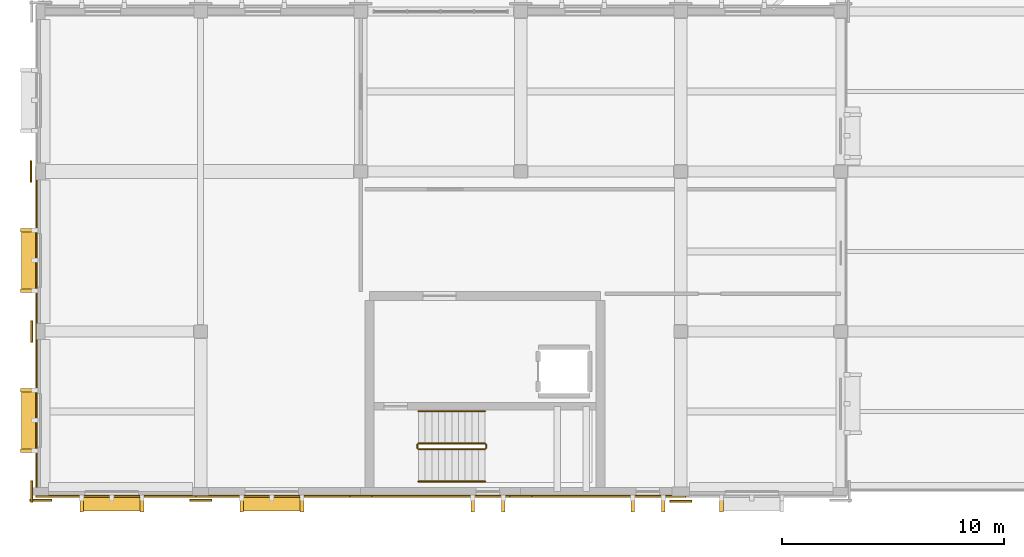
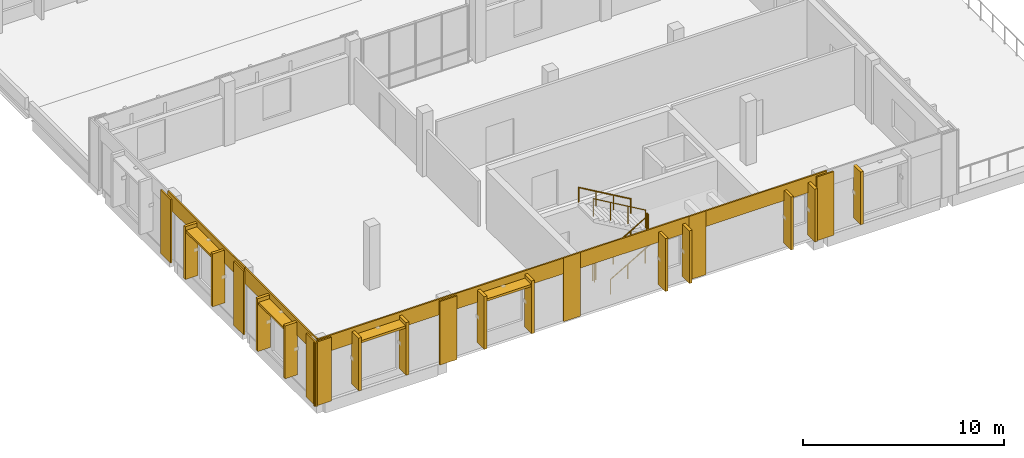
# One storey, part 53 of 64: 17 shading devices, 14 coverings, 6 railings.
"""IFC4 building model written with IfcOpenShell, lengths in metres."""

from ifc_helpers import new_model, si_unit, direction, frame, origin, origin_2d, place, context, subcontext, project, spatial, rectangle, circle, extrude, material, layer, layer_set, type_object, element, save


model = new_model("IFC4")

# Units and contexts
model_context = context("Model", 3, precision=1e-05, world=origin(), true_north=direction((0.0, 1.0)))
body_context = subcontext(model_context, "Body", "Model", "MODEL_VIEW")
ifc_project = project(units=[si_unit("LENGTHUNIT", "METRE"), si_unit("AREAUNIT", "SQUARE_METRE"), si_unit("VOLUMEUNIT", "CUBIC_METRE"), si_unit("PLANEANGLEUNIT", "RADIAN"), si_unit("MASSUNIT", "GRAM", prefix="KILO")], contexts=[model_context])

# Site, building, storey
site_placement = place(None, origin())
site = spatial("IfcSite", under=ifc_project, at=site_placement, CompositionType="ELEMENT")
building_placement = place(site_placement, origin())
building = spatial("IfcBuilding", under=site, at=building_placement, Name="Vervanel Yard Central Library", CompositionType="ELEMENT")
storey_placement = place(building_placement, frame((0.0, 0.0, 8.93994140625)))
storey = spatial("IfcBuildingStorey", under=building, at=storey_placement, Name="L02", CompositionType="ELEMENT", Elevation=8.93994140625)

# Railings
ifc_material_1 = material(Name="Brushed stainless steel AISI 316", Category="steel")
railing_type_1 = type_object("IfcRailingType", Name="Brushed Stainless Stair Handrail 900", PredefinedType="HANDRAIL", material=ifc_material_1)
railing_1_placement = place(storey_placement, frame((17.0, 0.449951171875, 0.174560546875)))
element("IfcRailing", 1, at=railing_1_placement, inside=storey, type_object=railing_type_1, Name="L02 ST-04 stair handrail 1", PredefinedType="HANDRAIL", context=body_context, shape_type="SweptSolid", body=[
    extrude(circle(Radius=0.02392578125, at=origin_2d()), frame((0.0, 0.0, 0.8759765625), z_axis=(0.864329436341, 0.0, 0.502926063626), x_axis=(0.0, 1.0, 0.0)), (0.0, 0.0, 1.0), 3.470947265625),
    extrude(circle(Radius=0.02099609375, at=origin_2d()), origin(), (0.0, 0.0, 1.0), 0.851806640625),
    extrude(circle(Radius=0.02099609375, at=origin_2d()), frame((1.0, 0.0, 0.581787109375)), (0.0, 0.0, 1.0), 0.851806640625),
    extrude(circle(Radius=0.02099609375, at=origin_2d()), frame((2.0, 0.0, 1.163818359375)), (0.0, 0.0, 1.0), 0.851806640625),
    extrude(circle(Radius=0.02099609375, at=origin_2d()), frame((3.0, 0.0, 1.74560546875)), (0.0, 0.0, 1.0), 0.851806640625),
])
railing_2_placement = place(storey_placement, frame((20.0, 3.610107421875, 2.094482421875)))
element("IfcRailing", 2, at=railing_2_placement, inside=storey, type_object=railing_type_1, Name="L02 ST-04 stair handrail 2", PredefinedType="HANDRAIL", context=body_context, shape_type="SweptSolid", body=[
    extrude(circle(Radius=0.02392578125, at=origin_2d()), frame((0.0, 0.0, 0.8759765625), z_axis=(-0.864329436341, 0.0, 0.502926063626), x_axis=(0.0, -1.0, 0.0)), (0.0, 0.0, 1.0), 3.470947265625),
    extrude(circle(Radius=0.02099609375, at=origin_2d()), origin(), (0.0, 0.0, 1.0), 0.851806640625),
    extrude(circle(Radius=0.02099609375, at=origin_2d()), frame((-1.0, 0.0, 0.581787109375)), (0.0, 0.0, 1.0), 0.851806640625),
    extrude(circle(Radius=0.02099609375, at=origin_2d()), frame((-2.0, 0.0, 1.163818359375)), (0.0, 0.0, 1.0), 0.851806640625),
    extrude(circle(Radius=0.02099609375, at=origin_2d()), frame((-3.0, 0.0, 1.74560546875)), (0.0, 0.0, 1.0), 0.851806640625),
])

# Coverings
ifc_material_2 = material(Name="Precast concrete C45/55", Category="concrete")
ifc_layer = layer(ifc_material_2, 0.0849609375, Category="concrete")
ifc_layer_set = layer_set([ifc_layer], Name="Precast concrete C45/55")
covering_type = type_object("IfcCoveringType", Name="Bush-Hammered Precast Architectural Cladding Panel", PredefinedType="CLADDING", material=ifc_layer_set)
covering_1_placement = place(storey_placement, frame((3.60009765625, -0.2099609375, 2.91015625), z_axis=(0.0, 0.0, 1.0), x_axis=(1.0, 0.0, 0.0)))
element("IfcCovering", 3, at=covering_1_placement, inside=storey, type_object=covering_type, Name="L02 Precast Concrete Spandrel Cornice EWALL-L02-0233", PredefinedType="CLADDING", context=body_context, shape_type="SweptSolid", body=[
    extrude(rectangle(XDim=7.64990234375, YDim=0.0849609375, at=origin_2d()), origin(), (0.0, 0.0, 1.0), 0.949951171875),
])
for number, where, z_axis, x_axis, name in (
    (4, (0.0, -0.392578125, 0.0), (0.0, 0.0, 1.0), (1.0, 0.0, 0.0), "L02 Precast Concrete Pier Pilaster EWALL-L02-0233-A"),
    (5, (7.199951171875, -0.402587890625, 0.0), (0.0, 0.0, 1.0), (1.0, 0.0, 0.0), "L02 Precast Concrete Pier Pilaster EWALL-L02-0233-B"),
):
    element("IfcCovering", number, at=place(storey_placement, frame(where, z_axis=z_axis, x_axis=x_axis)), inside=storey, type_object=covering_type, Name=name, PredefinedType="CLADDING", context=body_context, shape_type="SweptSolid", body=[
        extrude(rectangle(XDim=0.97998046875, YDim=0.0849609375, at=origin_2d()), origin(), (0.0, 0.0, 1.0), 3.860107421875),
    ])
covering_2_placement = place(storey_placement, frame((10.800048828125, -0.2099609375, 2.91015625), z_axis=(0.0, 0.0, 1.0), x_axis=(1.0, 0.0, 0.0)))
element("IfcCovering", 6, at=covering_2_placement, inside=storey, type_object=covering_type, Name="L02 Precast Concrete Spandrel Cornice EWALL-L02-0234", PredefinedType="CLADDING", context=body_context, shape_type="SweptSolid", body=[
    extrude(rectangle(XDim=7.64990234375, YDim=0.0849609375, at=origin_2d()), origin(), (0.0, 0.0, 1.0), 0.949951171875),
])
covering_3_placement = place(storey_placement, frame((14.39990234375, -0.21240234375, 0.0), z_axis=(0.0, 0.0, 1.0), x_axis=(1.0, 0.0, 0.0)))
element("IfcCovering", 7, at=covering_3_placement, inside=storey, type_object=covering_type, Name="L02 Precast Concrete Pier Pilaster EWALL-L02-0234-B", PredefinedType="CLADDING", context=body_context, shape_type="SweptSolid", body=[
    extrude(rectangle(XDim=0.97998046875, YDim=0.0849609375, at=origin_2d()), origin(), (0.0, 0.0, 1.0), 3.860107421875),
])
covering_4_placement = place(storey_placement, frame((18.0, -0.2099609375, 2.91015625), z_axis=(0.0, 0.0, 1.0), x_axis=(1.0, 0.0, 0.0)))
element("IfcCovering", 8, at=covering_4_placement, inside=storey, type_object=covering_type, Name="L02 Precast Concrete Spandrel Cornice EWALL-L02-0235", PredefinedType="CLADDING", context=body_context, shape_type="SweptSolid", body=[
    extrude(rectangle(XDim=7.64990234375, YDim=0.0849609375, at=origin_2d()), origin(), (0.0, 0.0, 1.0), 0.949951171875),
])
covering_5_placement = place(storey_placement, frame((21.60009765625, -0.21240234375, 0.0), z_axis=(0.0, 0.0, 1.0), x_axis=(1.0, 0.0, 0.0)))
element("IfcCovering", 9, at=covering_5_placement, inside=storey, type_object=covering_type, Name="L02 Precast Concrete Pier Pilaster EWALL-L02-0235-B", PredefinedType="CLADDING", context=body_context, shape_type="SweptSolid", body=[
    extrude(rectangle(XDim=0.97998046875, YDim=0.0849609375, at=origin_2d()), origin(), (0.0, 0.0, 1.0), 3.860107421875),
])
covering_6_placement = place(storey_placement, frame((25.199951171875, -0.2099609375, 2.91015625), z_axis=(0.0, 0.0, 1.0), x_axis=(1.0, 0.0, 0.0)))
element("IfcCovering", 10, at=covering_6_placement, inside=storey, type_object=covering_type, Name="L02 Precast Concrete Spandrel Cornice EWALL-L02-0236", PredefinedType="CLADDING", context=body_context, shape_type="SweptSolid", body=[
    extrude(rectangle(XDim=7.64990234375, YDim=0.0849609375, at=origin_2d()), origin(), (0.0, 0.0, 1.0), 0.949951171875),
])
covering_7_placement = place(storey_placement, frame((28.800048828125, -0.4326171875, 0.0), z_axis=(0.0, 0.0, 1.0), x_axis=(1.0, 0.0, 0.0)))
element("IfcCovering", 11, at=covering_7_placement, inside=storey, type_object=covering_type, Name="L02 Precast Concrete Pier Pilaster EWALL-L02-0236-B", PredefinedType="CLADDING", context=body_context, shape_type="SweptSolid", body=[
    extrude(rectangle(XDim=0.97998046875, YDim=0.0849609375, at=origin_2d()), origin(), (0.0, 0.0, 1.0), 3.860107421875),
])
covering_8_placement = place(storey_placement, frame((-0.18994140625, 3.60009765625, 2.91015625), z_axis=(0.0, 0.0, 1.0), x_axis=(0.0, 1.0, 0.0)))
element("IfcCovering", 12, at=covering_8_placement, inside=storey, type_object=covering_type, Name="L02 Precast Concrete Spandrel Cornice EWALL-L02-0238", PredefinedType="CLADDING", context=body_context, shape_type="SweptSolid", body=[
    extrude(rectangle(XDim=7.64990234375, YDim=0.0849609375, at=origin_2d()), origin(), (0.0, 0.0, 1.0), 0.949951171875),
])
for number, where, z_axis, x_axis, name in (
    (13, (-0.392578125, 0.0, 0.0), (0.0, 0.0, 1.0), (0.0, 1.0, 0.0), "L02 Precast Concrete Pier Pilaster EWALL-L02-0238-A"),
    (14, (-0.402587890625, 7.199951171875, 0.0), (0.0, 0.0, 1.0), (0.0, 1.0, 0.0), "L02 Precast Concrete Pier Pilaster EWALL-L02-0238-B"),
):
    element("IfcCovering", number, at=place(storey_placement, frame(where, z_axis=z_axis, x_axis=x_axis)), inside=storey, type_object=covering_type, Name=name, PredefinedType="CLADDING", context=body_context, shape_type="SweptSolid", body=[
        extrude(rectangle(XDim=0.97998046875, YDim=0.0849609375, at=origin_2d()), origin(), (0.0, 0.0, 1.0), 3.860107421875),
    ])
covering_9_placement = place(storey_placement, frame((-0.18994140625, 10.800048828125, 2.91015625), z_axis=(0.0, 0.0, 1.0), x_axis=(0.0, 1.0, 0.0)))
element("IfcCovering", 15, at=covering_9_placement, inside=storey, type_object=covering_type, Name="L02 Precast Concrete Spandrel Cornice EWALL-L02-0239", PredefinedType="CLADDING", context=body_context, shape_type="SweptSolid", body=[
    extrude(rectangle(XDim=7.64990234375, YDim=0.0849609375, at=origin_2d()), origin(), (0.0, 0.0, 1.0), 0.949951171875),
])
covering_10_placement = place(storey_placement, frame((-0.4326171875, 14.39990234375, 0.0), z_axis=(0.0, 0.0, 1.0), x_axis=(0.0, 1.0, 0.0)))
element("IfcCovering", 16, at=covering_10_placement, inside=storey, type_object=covering_type, Name="L02 Precast Concrete Pier Pilaster EWALL-L02-0239-B", PredefinedType="CLADDING", context=body_context, shape_type="SweptSolid", body=[
    extrude(rectangle(XDim=0.97998046875, YDim=0.0849609375, at=origin_2d()), origin(), (0.0, 0.0, 1.0), 3.860107421875),
])

# Shading devices
shading_device_type_1 = type_object("IfcShadingDeviceType", Name="Horizontal Precast Brise-Soleil Sunhood 2600x680x140", PredefinedType="JALOUSIE", material=ifc_material_2)
for number, where, z_axis, x_axis, name in (
    (17, (3.199951171875, -0.5400390625, 3.2802734375), (0.0, 0.0, 1.0), (1.0, 0.0, 0.0), "L02 Precast Horizontal Sunhood 134"),
    (18, (10.39990234375, -0.5400390625, 3.2802734375), (0.0, 0.0, 1.0), (1.0, 0.0, 0.0), "L02 Precast Horizontal Sunhood 135"),
    (19, (-0.52001953125, 3.199951171875, 3.330078125), (0.0, 0.0, 1.0), (0.0, 1.0, 0.0), "L02 Precast Horizontal Sunhood 137"),
    (20, (-0.52001953125, 10.39990234375, 3.330078125), (0.0, 0.0, 1.0), (0.0, 1.0, 0.0), "L02 Precast Horizontal Sunhood 138"),
):
    element("IfcShadingDevice", number, at=place(storey_placement, frame(where, z_axis=z_axis, x_axis=x_axis)), inside=storey, type_object=shading_device_type_1, Name=name, PredefinedType="JALOUSIE", context=body_context, shape_type="SweptSolid", body=[
        extrude(rectangle(XDim=2.60009765625, YDim=0.679931640625, at=origin_2d()), origin(), (0.0, 0.0, 1.0), 0.139892578125),
    ])

# Railings
ifc_material_3 = material(Name="Galvanized painted steelwork ASTM A500 Grade C", Category="steel")
railing_type_2 = type_object("IfcRailingType", Name="Painted Steel Guardrail 1100", PredefinedType="GUARDRAIL", material=ifc_material_3)
railing_3_placement = place(storey_placement, frame((17.0, 1.89990234375, 0.174560546875)))
element("IfcRailing", 21, at=railing_3_placement, inside=storey, type_object=railing_type_2, Name="L02 ST-04 stair guard 1", PredefinedType="GUARDRAIL", context=body_context, shape_type="SweptSolid", body=[
    extrude(circle(Radius=0.02392578125, at=origin_2d()), frame((0.0, 0.0, 1.076171875), z_axis=(0.864329436341, 0.0, 0.502926063626), x_axis=(0.0, 1.0, 0.0)), (0.0, 0.0, 1.0), 3.470947265625),
    extrude(circle(Radius=0.02099609375, at=origin_2d()), origin(), (0.0, 0.0, 1.0), 1.052001953125),
    extrude(circle(Radius=0.02099609375, at=origin_2d()), frame((1.0, 0.0, 0.581787109375)), (0.0, 0.0, 1.0), 1.052001953125),
    extrude(circle(Radius=0.02099609375, at=origin_2d()), frame((2.0, 0.0, 1.163818359375)), (0.0, 0.0, 1.0), 1.052001953125),
    extrude(circle(Radius=0.02099609375, at=origin_2d()), frame((3.0, 0.0, 1.74560546875)), (0.0, 0.0, 1.0), 1.052001953125),
])
railing_4_placement = place(storey_placement, frame((20.050048828125, 1.949951171875, 1.920166015625)))
element("IfcRailing", 22, at=railing_4_placement, inside=storey, type_object=railing_type_2, Name="L02 ST-04 stair guard 2", PredefinedType="GUARDRAIL", context=body_context, shape_type="SweptSolid", body=[
    extrude(circle(Radius=0.02392578125, at=origin_2d()), frame((0.0, 0.0, 1.076171875), z_axis=(0.0, 1.0, 0.0), x_axis=(-1.0, 0.0, 0.0)), (0.0, 0.0, 1.0), 0.16015625),
    extrude(circle(Radius=0.02099609375, at=origin_2d()), origin(), (0.0, 0.0, 1.0), 1.052001953125),
    extrude(circle(Radius=0.02099609375, at=origin_2d()), frame((0.0, 0.16015625, 0.0)), (0.0, 0.0, 1.0), 1.052001953125),
])
railing_5_placement = place(storey_placement, frame((20.0, 2.159912109375, 2.094482421875)))
element("IfcRailing", 23, at=railing_5_placement, inside=storey, type_object=railing_type_2, Name="L02 ST-04 stair guard 3", PredefinedType="GUARDRAIL", context=body_context, shape_type="SweptSolid", body=[
    extrude(circle(Radius=0.02392578125, at=origin_2d()), frame((0.0, 0.0, 1.076171875), z_axis=(-0.864329436341, 0.0, 0.502926063626), x_axis=(0.0, -1.0, 0.0)), (0.0, 0.0, 1.0), 3.470947265625),
    extrude(circle(Radius=0.02099609375, at=origin_2d()), origin(), (0.0, 0.0, 1.0), 1.052001953125),
    extrude(circle(Radius=0.02099609375, at=origin_2d()), frame((-1.0, 0.0, 0.581787109375)), (0.0, 0.0, 1.0), 1.052001953125),
    extrude(circle(Radius=0.02099609375, at=origin_2d()), frame((-2.0, 0.0, 1.163818359375)), (0.0, 0.0, 1.0), 1.052001953125),
    extrude(circle(Radius=0.02099609375, at=origin_2d()), frame((-3.0, 0.0, 1.74560546875)), (0.0, 0.0, 1.0), 1.052001953125),
])
railing_6_placement = place(storey_placement, frame((16.949951171875, 1.949951171875, 0.0)))
element("IfcRailing", 24, at=railing_6_placement, inside=storey, type_object=railing_type_2, Name="L02 ST-04 stair guard 4", PredefinedType="GUARDRAIL", context=body_context, shape_type="SweptSolid", body=[
    extrude(circle(Radius=0.02392578125, at=origin_2d()), frame((0.0, 0.0, 1.076171875), z_axis=(0.0, 1.0, 0.0), x_axis=(-1.0, 0.0, 0.0)), (0.0, 0.0, 1.0), 0.16015625),
    extrude(circle(Radius=0.02099609375, at=origin_2d()), origin(), (0.0, 0.0, 1.0), 1.052001953125),
    extrude(circle(Radius=0.02099609375, at=origin_2d()), frame((0.0, 0.16015625, 0.0)), (0.0, 0.0, 1.0), 1.052001953125),
])

# Shading devices
shading_device_type_2 = type_object("IfcShadingDeviceType", Name="Vertical Precast Solar Fin 160x720x3200", PredefinedType="JALOUSIE", material=ifc_material_2)
for number, where, z_axis, x_axis, name in (
    (25, (1.840087890625, -0.570068359375, 0.4501953125), (0.0, 0.0, 1.0), (1.0, 0.0, 0.0), "L02 Precast Solar Fin 659"),
    (26, (4.56005859375, -0.570068359375, 0.4501953125), (0.0, 0.0, 1.0), (1.0, 0.0, 0.0), "L02 Precast Solar Fin 660"),
    (27, (9.0400390625, -0.570068359375, 0.4501953125), (0.0, 0.0, 1.0), (1.0, 0.0, 0.0), "L02 Precast Solar Fin 661"),
    (28, (11.760009765625, -0.570068359375, 0.4501953125), (0.0, 0.0, 1.0), (1.0, 0.0, 0.0), "L02 Precast Solar Fin 662"),
    (29, (19.43994140625, -0.570068359375, 0.3251953125), (0.0, 0.0, 1.0), (1.0, 0.0, 0.0), "L02 Precast Solar Fin 663"),
    (30, (20.81005859375, -0.570068359375, 0.3251953125), (0.0, 0.0, 1.0), (1.0, 0.0, 0.0), "L02 Precast Solar Fin 664"),
    (31, (26.639892578125, -0.570068359375, 0.3251953125), (0.0, 0.0, 1.0), (1.0, 0.0, 0.0), "L02 Precast Solar Fin 665"),
    (32, (28.010009765625, -0.570068359375, 0.3251953125), (0.0, 0.0, 1.0), (1.0, 0.0, 0.0), "L02 Precast Solar Fin 666"),
    (33, (30.639892578125, -0.570068359375, 0.4501953125), (0.0, 0.0, 1.0), (1.0, 0.0, 0.0), "L02 Precast Solar Fin 667"),
    (34, (-0.550048828125, 1.840087890625, 0.5), (0.0, 0.0, 1.0), (0.0, 1.0, 0.0), "L02 Precast Solar Fin 669"),
    (35, (-0.550048828125, 4.56005859375, 0.5), (0.0, 0.0, 1.0), (0.0, 1.0, 0.0), "L02 Precast Solar Fin 670"),
    (36, (-0.550048828125, 9.0400390625, 0.5), (0.0, 0.0, 1.0), (0.0, 1.0, 0.0), "L02 Precast Solar Fin 671"),
    (37, (-0.550048828125, 11.760009765625, 0.5), (0.0, 0.0, 1.0), (0.0, 1.0, 0.0), "L02 Precast Solar Fin 672"),
):
    element("IfcShadingDevice", number, at=place(storey_placement, frame(where, z_axis=z_axis, x_axis=x_axis)), inside=storey, type_object=shading_device_type_2, Name=name, PredefinedType="JALOUSIE", context=body_context, shape_type="SweptSolid", body=[
        extrude(rectangle(XDim=0.159912109375, YDim=0.719970703125, at=origin_2d()), origin(), (0.0, 0.0, 1.0), 3.199951171875),
    ])

save(model, "model.ifc")
